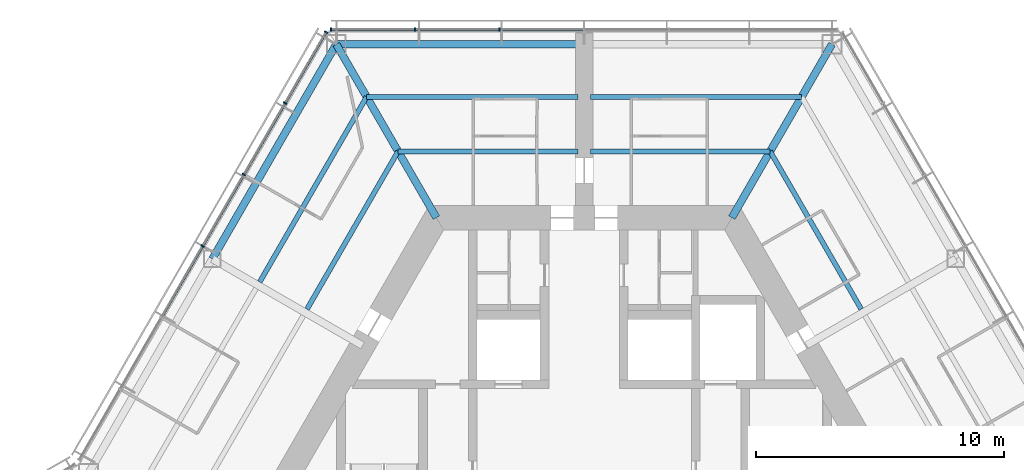
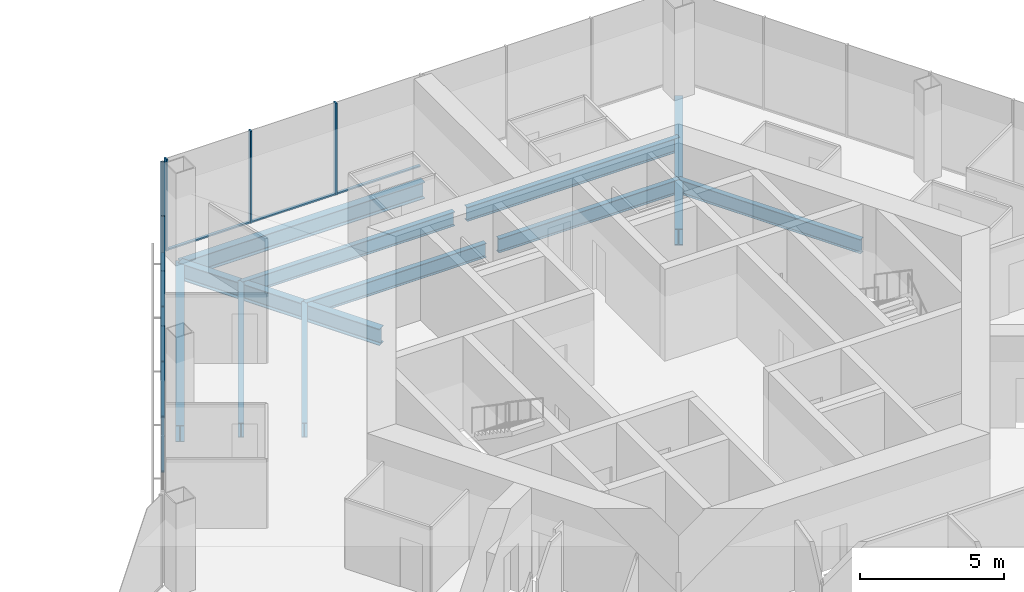
# One storey, part 7 of 18: 14 members, 11 beams, 2 elements without a shape of their own.
"""IFC4 building model written with IfcOpenShell, lengths in metres."""

from ifc_helpers import new_model, si_unit, direction, frame, origin, origin_2d, place, context, subcontext, project, spatial, rectangle, i_section, extrude, material, material_profile, profile_set, type_object, element, aggregate, save


model = new_model("IFC4")

# Units and contexts
model_context = context("Model", 3, precision=1e-05, world=origin(), true_north=direction((0.0, 1.0)))
body_context = subcontext(model_context, "Body", "Model", "MODEL_VIEW")
ifc_project = project(units=[si_unit("LENGTHUNIT", "METRE"), si_unit("AREAUNIT", "SQUARE_METRE"), si_unit("VOLUMEUNIT", "CUBIC_METRE"), si_unit("PLANEANGLEUNIT", "RADIAN"), si_unit("MASSUNIT", "GRAM", prefix="KILO")], contexts=[model_context])

# Site, building, storey
site_placement = place(None, origin())
site = spatial("IfcSite", under=ifc_project, at=site_placement, CompositionType="ELEMENT")
building_placement = place(site_placement, origin())
building = spatial("IfcBuilding", under=site, at=building_placement, Name="Kasaneha Research Tower", CompositionType="ELEMENT")
storey_placement = place(building_placement, frame((0.0, 0.0, 176.0)))
storey = spatial("IfcBuildingStorey", under=building, at=storey_placement, Name="L44", CompositionType="ELEMENT", Elevation=176.0)

# Beams
ifc_material_1 = material(Name="Steel SN490B", Category="steel")
ifc_material_profile_1 = material_profile(ifc_material_1, i_section(OverallWidth=0.199951171875, OverallDepth=0.60009765625, WebThickness=0.010986328125, FlangeThickness=0.01708984375, FilletRadius=0.012939453125, at=origin_2d()), Name="H-600x200x11x17")
ifc_profile_set_1 = profile_set([ifc_material_profile_1], Name="Steel SN490B")
beam_type_1 = type_object("IfcBeamType", Name="B1-3 secondary beam H-600x200x11x17", PredefinedType="JOIST", material=ifc_profile_set_1)
beam_1_placement = place(storey_placement, frame((7.505615234375, 13.0, -0.449951171875), z_axis=(0.499994443168, -0.866028611999, 0.0), x_axis=(0.866028611999, 0.499994443168, 0.0)))
element("IfcBeam", 1, at=beam_1_placement, inside=storey, type_object=beam_type_1, Name="Secondary beam RS030R1 L44", PredefinedType="JOIST", context=body_context, shape_type="SweptSolid", body=[
    extrude(i_section(OverallWidth=0.199951171875, OverallDepth=0.60009765625, WebThickness=0.010986328125, FlangeThickness=0.01708984375, FilletRadius=0.012939453125, at=origin_2d()), origin(), (0.0, 0.0, 1.0), 7.35546875),
])
beam_2_placement = place(storey_placement, frame((7.505615234375, 13.0, -0.449951171875), z_axis=(-1.0, 0.0, 0.0), x_axis=(0.0, -1.0, 0.0)))
element("IfcBeam", 2, at=beam_2_placement, inside=storey, type_object=beam_type_1, Name="Secondary beam RS090L1 L44", PredefinedType="JOIST", context=body_context, shape_type="SweptSolid", body=[
    extrude(i_section(OverallWidth=0.199951171875, OverallDepth=0.60009765625, WebThickness=0.010986328125, FlangeThickness=0.01708984375, FilletRadius=0.012939453125, at=origin_2d()), origin(), (0.0, 0.0, 1.0), 7.255615234375),
])
beam_3_placement = place(storey_placement, frame((8.775634765625, 15.199951171875, -0.449951171875), z_axis=(-1.0, 0.0, 0.0), x_axis=(0.0, -1.0, 0.0)))
element("IfcBeam", 3, at=beam_3_placement, inside=storey, type_object=beam_type_1, Name="Secondary beam RS090L2 L44", PredefinedType="JOIST", context=body_context, shape_type="SweptSolid", body=[
    extrude(i_section(OverallWidth=0.199951171875, OverallDepth=0.60009765625, WebThickness=0.010986328125, FlangeThickness=0.01708984375, FilletRadius=0.012939453125, at=origin_2d()), origin(), (0.0, 0.0, 1.0), 8.525634765625),
])
beam_4_placement = place(storey_placement, frame((-7.505615234375, 13.0, -0.449951171875), z_axis=(1.0, 0.0, 0.0), x_axis=(0.0, 1.0, 0.0)))
element("IfcBeam", 4, at=beam_4_placement, inside=storey, type_object=beam_type_1, Name="Secondary beam RS090R1 L44", PredefinedType="JOIST", context=body_context, shape_type="SweptSolid", body=[
    extrude(i_section(OverallWidth=0.199951171875, OverallDepth=0.60009765625, WebThickness=0.010986328125, FlangeThickness=0.01708984375, FilletRadius=0.012939453125, at=origin_2d()), origin(), (0.0, 0.0, 1.0), 7.255615234375),
])
beam_5_placement = place(storey_placement, frame((-8.775634765625, 15.199951171875, -0.449951171875), z_axis=(1.0, 0.0, 0.0), x_axis=(0.0, 1.0, 0.0)))
element("IfcBeam", 5, at=beam_5_placement, inside=storey, type_object=beam_type_1, Name="Secondary beam RS090R2 L44", PredefinedType="JOIST", context=body_context, shape_type="SweptSolid", body=[
    extrude(i_section(OverallWidth=0.199951171875, OverallDepth=0.60009765625, WebThickness=0.010986328125, FlangeThickness=0.01708984375, FilletRadius=0.012939453125, at=origin_2d()), origin(), (0.0, 0.0, 1.0), 8.525634765625),
])
beam_6_placement = place(storey_placement, frame((-7.505615234375, 13.0, -0.449951171875), z_axis=(-0.499994443168, -0.866028611999, 0.0), x_axis=(0.866028611999, -0.499994443168, 0.0)))
element("IfcBeam", 6, at=beam_6_placement, inside=storey, type_object=beam_type_1, Name="Secondary beam RS150L1 L44", PredefinedType="JOIST", context=body_context, shape_type="SweptSolid", body=[
    extrude(i_section(OverallWidth=0.199951171875, OverallDepth=0.60009765625, WebThickness=0.010986328125, FlangeThickness=0.01708984375, FilletRadius=0.012939453125, at=origin_2d()), origin(), (0.0, 0.0, 1.0), 7.35546875),
])
beam_7_placement = place(storey_placement, frame((-8.775634765625, 15.199951171875, -0.449951171875), z_axis=(-0.500017275495, -0.866015429543, 0.0), x_axis=(0.866015429543, -0.500017275495, 0.0)))
element("IfcBeam", 7, at=beam_7_placement, inside=storey, type_object=beam_type_1, Name="Secondary beam RS150L2 L44", PredefinedType="JOIST", context=body_context, shape_type="SweptSolid", body=[
    extrude(i_section(OverallWidth=0.199951171875, OverallDepth=0.60009765625, WebThickness=0.010986328125, FlangeThickness=0.01708984375, FilletRadius=0.012939453125, at=origin_2d()), origin(), (0.0, 0.0, 1.0), 8.625732421875),
])

# Curtain wall, members
ifc_material_2 = material(Name="Glass and aluminium", Category="aluminium")
curtain_wall_type = type_object("IfcCurtainWallType", Name="Mid-rise office curtain wall", PredefinedType="USERDEFINED", material=ifc_material_2)
curtain_wall_1_placement = place(storey_placement, origin())
curtain_wall_1 = element("IfcCurtainWall", 8, at=curtain_wall_1_placement, inside=storey, type_object=curtain_wall_type, Name="CW-O2 L44 run 07a", ObjectType="UNITISED CURTAIN WALL", PredefinedType="USERDEFINED")
ifc_material_3 = material(Name="Aluminium 6063-T6", Category="aluminium")
ifc_material_profile_2 = material_profile(ifc_material_3, rectangle(XDim=0.06005859375, YDim=0.14990234375, at=origin_2d()), Name="CW-O2 mullion 60x150")
ifc_profile_set_2 = profile_set([ifc_material_profile_2], Name="Aluminium 6063-T6")
member_type_1 = type_object("IfcMemberType", Name="CW-O2 mullion", PredefinedType="MULLION", material=ifc_profile_set_2)
member_1_placement = place(storey_placement, frame((-3.41552734375, 17.92041015625, 0.0), z_axis=(0.0, 0.0, 1.0), x_axis=(-1.0, 0.0, 0.0)))
member_1 = element("IfcMember", 9, at=member_1_placement, type_object=member_type_1, Name="CW-O2 mullion 5", PredefinedType="MULLION", context=body_context, shape_type="SweptSolid", body=[
    extrude(rectangle(XDim=0.06005859375, YDim=0.14990234375, at=origin_2d()), origin(), (0.0, 0.0, 1.0), 3.89990234375),
])
member_2_placement = place(storey_placement, frame((-6.8310546875, 17.92041015625, 0.0), z_axis=(0.0, 0.0, 1.0), x_axis=(-1.0, 0.0, 0.0)))
member_2 = element("IfcMember", 10, at=member_2_placement, type_object=member_type_1, Name="CW-O2 mullion 6", PredefinedType="MULLION", context=body_context, shape_type="SweptSolid", body=[
    extrude(rectangle(XDim=0.06005859375, YDim=0.14990234375, at=origin_2d()), origin(), (0.0, 0.0, 1.0), 3.89990234375),
])
member_3_placement = place(storey_placement, frame((-10.21630859375, 17.92041015625, 0.0), z_axis=(0.0, 0.0, 1.0), x_axis=(-1.0, 0.0, 0.0)))
member_3 = element("IfcMember", 11, at=member_3_placement, type_object=member_type_1, Name="CW-O2 mullion 7", PredefinedType="MULLION", context=body_context, shape_type="SweptSolid", body=[
    extrude(rectangle(XDim=0.06005859375, YDim=0.14990234375, at=origin_2d()), origin(), (0.0, 0.0, 1.0), 3.89990234375),
])

curtain_wall_2_placement = place(storey_placement, origin())
curtain_wall_2 = element("IfcCurtainWall", 12, at=curtain_wall_2_placement, inside=storey, type_object=curtain_wall_type, Name="CW-O2 L44 run 08a", ObjectType="UNITISED CURTAIN WALL", PredefinedType="USERDEFINED")
member_4_placement = place(storey_placement, frame((-10.411376953125, 17.807861328125, 0.0), z_axis=(0.0, 0.0, 1.0), x_axis=(-0.499999979232, -0.866025415775, 0.0)))
member_4 = element("IfcMember", 13, at=member_4_placement, type_object=member_type_1, Name="CW-O2 mullion 1", PredefinedType="MULLION", context=body_context, shape_type="SweptSolid", body=[
    extrude(rectangle(XDim=0.06005859375, YDim=0.14990234375, at=origin_2d()), origin(), (0.0, 0.0, 1.0), 3.89990234375),
])
member_5_placement = place(storey_placement, frame((-12.061767578125, 14.94921875, 0.0), z_axis=(0.0, 0.0, 1.0), x_axis=(-0.499999979232, -0.866025415775, 0.0)))
member_5 = element("IfcMember", 14, at=member_5_placement, type_object=member_type_1, Name="CW-O2 mullion 2", PredefinedType="MULLION", context=body_context, shape_type="SweptSolid", body=[
    extrude(rectangle(XDim=0.06005859375, YDim=0.14990234375, at=origin_2d()), origin(), (0.0, 0.0, 1.0), 3.89990234375),
])
member_6_placement = place(storey_placement, frame((-13.727294921875, 12.064453125, 0.0), z_axis=(0.0, 0.0, 1.0), x_axis=(-0.499999979232, -0.866025415775, 0.0)))
member_6 = element("IfcMember", 15, at=member_6_placement, type_object=member_type_1, Name="CW-O2 mullion 3", PredefinedType="MULLION", context=body_context, shape_type="SweptSolid", body=[
    extrude(rectangle(XDim=0.06005859375, YDim=0.14990234375, at=origin_2d()), origin(), (0.0, 0.0, 1.0), 3.89990234375),
])
member_7_placement = place(storey_placement, frame((-15.392822265625, 9.179931640625, 0.0), z_axis=(0.0, 0.0, 1.0), x_axis=(-0.499999979232, -0.866025415775, 0.0)))
member_7 = element("IfcMember", 16, at=member_7_placement, type_object=member_type_1, Name="CW-O2 mullion 4", PredefinedType="MULLION", context=body_context, shape_type="SweptSolid", body=[
    extrude(rectangle(XDim=0.06005859375, YDim=0.14990234375, at=origin_2d()), origin(), (0.0, 0.0, 1.0), 3.89990234375),
])

# Member
ifc_material_4 = material(Name="Aluminium 6063-T6", Category="aluminium")
ifc_material_profile_3 = material_profile(ifc_material_4, rectangle(XDim=0.110107421875, YDim=0.06005859375, at=origin_2d()), Name="CW-O2 transom 110x60")
ifc_profile_set_3 = profile_set([ifc_material_profile_3], Name="Aluminium 6063-T6")
member_type_2 = type_object("IfcMemberType", Name="CW-O2 transom", PredefinedType="USERDEFINED", material=ifc_profile_set_3)
member_8_placement = place(storey_placement, frame((-0.030029296875, 17.92041015625, 0.030029296875), z_axis=(-1.0, 0.0, 0.0), x_axis=(0.0, -1.0, 0.0)))
member_8 = element("IfcMember", 17, at=member_8_placement, type_object=member_type_2, Name="CW-O2 transom 4", ObjectType="TRANSOM", PredefinedType="USERDEFINED", context=body_context, shape_type="SweptSolid", body=[
    extrude(rectangle(XDim=0.110107421875, YDim=0.06005859375, at=origin_2d()), origin(), (0.0, 0.0, 1.0), 3.35546875),
])

member_9_placement = place(storey_placement, frame((-3.445556640625, 17.92041015625, 0.030029296875), z_axis=(-1.0, 0.0, 0.0), x_axis=(0.0, -1.0, 0.0)))
member_9 = element("IfcMember", 18, at=member_9_placement, type_object=member_type_2, Name="CW-O2 transom 5", ObjectType="TRANSOM", PredefinedType="USERDEFINED", context=body_context, shape_type="SweptSolid", body=[
    extrude(rectangle(XDim=0.110107421875, YDim=0.06005859375, at=origin_2d()), origin(), (0.0, 0.0, 1.0), 3.35546875),
])

member_10_placement = place(storey_placement, frame((-6.86083984375, 17.92041015625, 0.030029296875), z_axis=(-1.0, 0.0, 0.0), x_axis=(0.0, -1.0, 0.0)))
member_10 = element("IfcMember", 19, at=member_10_placement, type_object=member_type_2, Name="CW-O2 transom 6", ObjectType="TRANSOM", PredefinedType="USERDEFINED", context=body_context, shape_type="SweptSolid", body=[
    extrude(rectangle(XDim=0.110107421875, YDim=0.06005859375, at=origin_2d()), origin(), (0.0, 0.0, 1.0), 3.32568359375),
])

aggregate(curtain_wall_1, [member_1, member_2, member_3, member_8, member_9, member_10])

member_11_placement = place(storey_placement, frame((-10.426513671875, 17.781982421875, 0.030029296875), z_axis=(-0.499955025697, -0.866051368154, 0.0), x_axis=(0.866051368154, -0.499955025697, 0.0)))
member_11 = element("IfcMember", 20, at=member_11_placement, type_object=member_type_2, Name="CW-O2 transom 1", ObjectType="TRANSOM", PredefinedType="USERDEFINED", context=body_context, shape_type="SweptSolid", body=[
    extrude(rectangle(XDim=0.110107421875, YDim=0.06005859375, at=origin_2d()), origin(), (0.0, 0.0, 1.0), 3.240966796875),
])

member_12_placement = place(storey_placement, frame((-12.076904296875, 14.92333984375, 0.030029296875), z_axis=(-0.500000270186, -0.866025247793, 0.0), x_axis=(0.866025247793, -0.500000270186, 0.0)))
member_12 = element("IfcMember", 21, at=member_12_placement, type_object=member_type_2, Name="CW-O2 transom 2", ObjectType="TRANSOM", PredefinedType="USERDEFINED", context=body_context, shape_type="SweptSolid", body=[
    extrude(rectangle(XDim=0.110107421875, YDim=0.06005859375, at=origin_2d()), origin(), (0.0, 0.0, 1.0), 3.27099609375),
])

member_13_placement = place(storey_placement, frame((-13.742431640625, 12.03857421875, 0.030029296875), z_axis=(-0.500000270186, -0.866025247793, 0.0), x_axis=(0.866025247793, -0.500000270186, 0.0)))
member_13 = element("IfcMember", 22, at=member_13_placement, type_object=member_type_2, Name="CW-O2 transom 3", ObjectType="TRANSOM", PredefinedType="USERDEFINED", context=body_context, shape_type="SweptSolid", body=[
    extrude(rectangle(XDim=0.110107421875, YDim=0.06005859375, at=origin_2d()), origin(), (0.0, 0.0, 1.0), 3.27099609375),
])

member_14_placement = place(storey_placement, frame((-15.40771484375, 9.15380859375, 0.030029296875), z_axis=(-0.50003259116, -0.866006586452, 0.0), x_axis=(0.866006586452, -0.50003259116, 0.0)))
member_14 = element("IfcMember", 23, at=member_14_placement, type_object=member_type_2, Name="CW-O2 transom 4", ObjectType="TRANSOM", PredefinedType="USERDEFINED", context=body_context, shape_type="SweptSolid", body=[
    extrude(rectangle(XDim=0.110107421875, YDim=0.06005859375, at=origin_2d()), origin(), (0.0, 0.0, 1.0), 3.270751953125),
])

aggregate(curtain_wall_2, [member_4, member_5, member_6, member_7, member_11, member_12, member_13, member_14])

# Beams
ifc_material_5 = material(Name="Steel SN490B", Category="steel")
ifc_material_profile_4 = material_profile(ifc_material_5, i_section(OverallWidth=0.300048828125, OverallDepth=0.699951171875, WebThickness=0.012939453125, FlangeThickness=0.02392578125, FilletRadius=0.01806640625, at=origin_2d()), Name="H-700x300x13x24")
ifc_profile_set_4 = profile_set([ifc_material_profile_4], Name="Steel SN490B")
beam_type_2 = type_object("IfcBeamType", Name="G1-3 radial girder H-700x300x13x24", PredefinedType="BEAM", material=ifc_profile_set_4)
for number, where, z_axis, x_axis, name in (
    (24, (5.961181640625, 10.324951171875, -0.5), (0.49999105496, 0.866030568144, 0.0), (-0.866030568144, 0.49999105496, 0.0), "Radial girder RV060 L44"),
    (25, (-5.961181640625, 10.324951171875, -0.5), (-0.49999105496, 0.866030568144, 0.0), (-0.866030568144, -0.49999105496, 0.0), "Radial girder RV120 L44"),
):
    element("IfcBeam", number, at=place(storey_placement, frame(where, z_axis=z_axis, x_axis=x_axis)), inside=storey, type_object=beam_type_2, Name=name, PredefinedType="BEAM", context=body_context, shape_type="SweptSolid", body=[
        extrude(i_section(OverallWidth=0.300048828125, OverallDepth=0.699951171875, WebThickness=0.012939453125, FlangeThickness=0.02392578125, FilletRadius=0.01806640625, at=origin_2d()), origin(), (0.0, 0.0, 1.0), 8.077880859375),
    ])
ifc_material_6 = material(Name="Steel SN490B", Category="steel")
ifc_material_profile_5 = material_profile(ifc_material_6, i_section(OverallWidth=0.300048828125, OverallDepth=0.69189453125, WebThickness=0.012939453125, FlangeThickness=0.02001953125, FilletRadius=0.01806640625, at=origin_2d()), Name="H-692x300x13x20")
ifc_profile_set_5 = profile_set([ifc_material_profile_5], Name="Steel SN490B")
beam_type_3 = type_object("IfcBeamType", Name="G3-3 plate edge girder H-692x300x13x20", PredefinedType="BEAM", material=ifc_profile_set_5)
beam_8_placement = place(storey_placement, frame((-10.0, 17.320556640625, -0.49609375), z_axis=(1.0, 0.0, 0.0), x_axis=(0.0, 1.0, 0.0)))
element("IfcBeam", 26, at=beam_8_placement, inside=storey, type_object=beam_type_3, Name="Plate edge girder PEAN L44", PredefinedType="BEAM", context=body_context, shape_type="SweptSolid", body=[
    extrude(i_section(OverallWidth=0.300048828125, OverallDepth=0.69189453125, WebThickness=0.012939453125, FlangeThickness=0.02001953125, FilletRadius=0.01806640625, at=origin_2d()), origin(), (0.0, 0.0, 1.0), 9.75),
])
ifc_material_7 = material(Name="Steel SN490B", Category="steel")
ifc_material_profile_6 = material_profile(ifc_material_7, i_section(OverallWidth=0.300048828125, OverallDepth=0.69189453125, WebThickness=0.012939453125, FlangeThickness=0.02001953125, FilletRadius=0.01806640625, at=origin_2d()), Name="H-692x300x13x20")
ifc_profile_set_6 = profile_set([ifc_material_profile_6], Name="Steel SN490B")
beam_type_4 = type_object("IfcBeamType", Name="SB1-3 spandrel beam H-692x300x13x20", PredefinedType="SPANDREL", material=ifc_profile_set_6)
beam_9_placement = place(storey_placement, frame((-10.0, 17.320556640625, -0.49609375), z_axis=(-0.499993662806, -0.866029062534, 0.0), x_axis=(0.866029062534, -0.499993662806, 0.0)))
element("IfcBeam", 27, at=beam_9_placement, inside=storey, type_object=beam_type_4, Name="Spandrel beam SR150L L44", PredefinedType="SPANDREL", context=body_context, shape_type="SweptSolid", body=[
    extrude(i_section(OverallWidth=0.300048828125, OverallDepth=0.69189453125, WebThickness=0.012939453125, FlangeThickness=0.02001953125, FilletRadius=0.01806640625, at=origin_2d()), origin(), (0.0, 0.0, 1.0), 10.000244140625),
])

save(model, "model.ifc")
